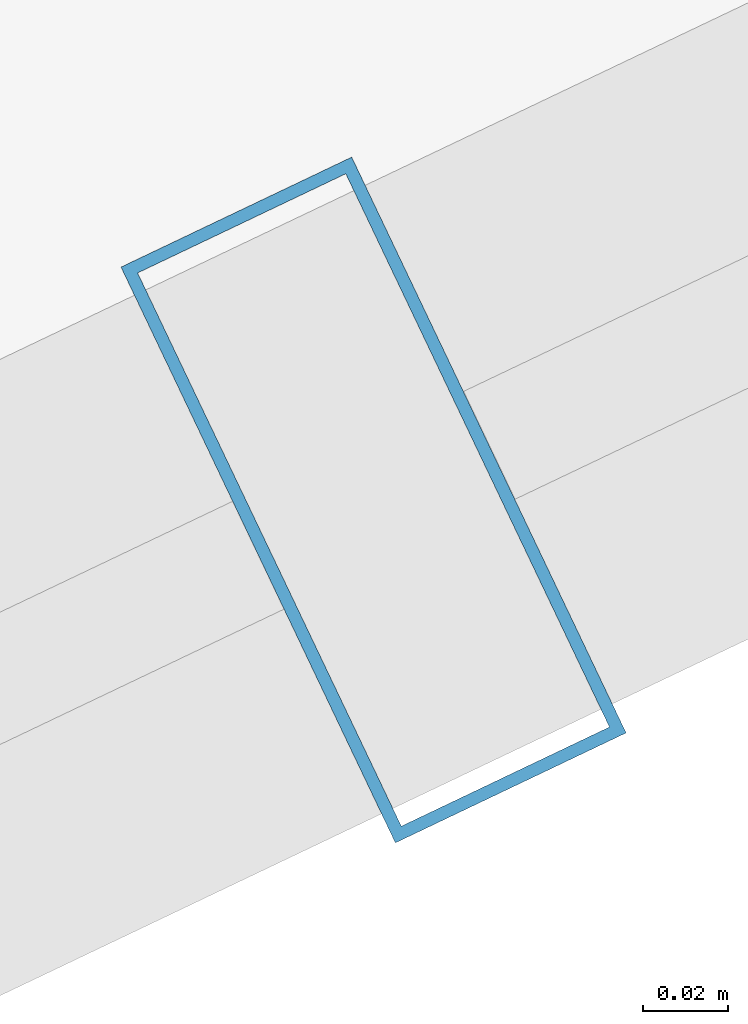
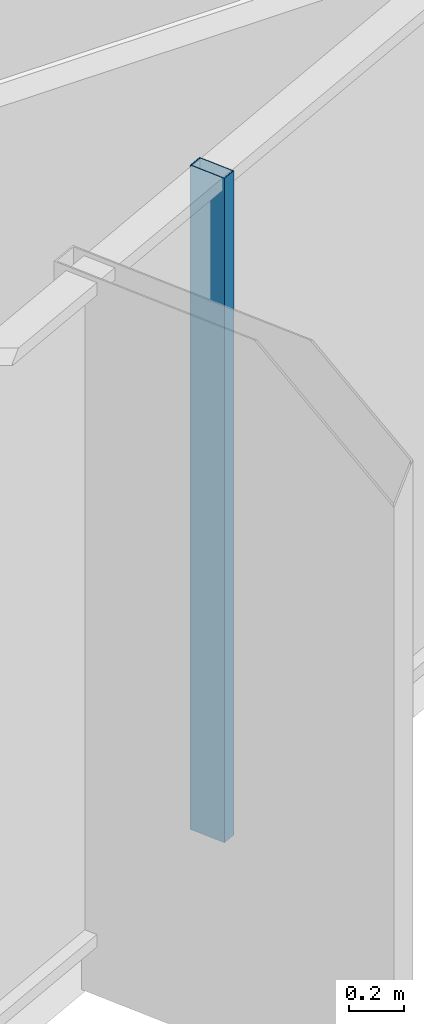
# One storey, part 8 of 29: 1 member, 1 element without a shape of its own.
"""IFC4 building model written with IfcOpenShell, lengths in metres."""

from ifc_helpers import new_model, si_unit, direction, frame, origin, origin_2d, place, context, subcontext, project, spatial, hollow_rectangle, extrude, source, transform, mapped, material, layer, layer_set, material_profile, profile_set, type_object, element, aggregate, save


model = new_model("IFC4")

# Units and contexts
model_context = context("Model", 3, precision=1e-05, world=origin(), true_north=direction((0.0, 1.0)))
body_context = subcontext(model_context, "Body", "Model", "MODEL_VIEW")
ifc_project = project(units=[si_unit("LENGTHUNIT", "METRE"), si_unit("AREAUNIT", "SQUARE_METRE"), si_unit("VOLUMEUNIT", "CUBIC_METRE"), si_unit("PLANEANGLEUNIT", "RADIAN"), si_unit("MASSUNIT", "GRAM", prefix="KILO")], contexts=[model_context])

# Site, building, storey
site_placement = place(None, origin())
site = spatial("IfcSite", under=ifc_project, at=site_placement, CompositionType="ELEMENT")
building_placement = place(site_placement, origin())
building = spatial("IfcBuilding", under=site, at=building_placement, Name="Veraguas Prism Commons", CompositionType="ELEMENT")
storey_placement = place(building_placement, frame((0.0, 0.0, 222.14990234375)))
storey = spatial("IfcBuildingStorey", under=building, at=storey_placement, Name="L63", CompositionType="ELEMENT", Elevation=222.14990234375)

# Curtain wall, member
ifc_material = material(Name="Anodised aluminium EN AW-6063 T6", Category="aluminium")
ifc_layer = layer(ifc_material, 0.14990234375, Name="Unitised Flush Curtain Wall Zone 3", Category="aluminium")
ifc_layer_set = layer_set([ifc_layer], Name="Anodised aluminium EN AW-6063 T6")
curtain_wall_type = type_object("IfcCurtainWallType", Name="Unitised Flush Curtain Wall Zone 3", PredefinedType="NOTDEFINED", material=ifc_layer_set)
curtain_wall_placement = place(storey_placement, origin())
curtain_wall = element("IfcCurtainWall", 1, at=curtain_wall_placement, inside=storey, type_object=curtain_wall_type, Name="Tower Facade Curtain Wall L63-F5", PredefinedType="NOTDEFINED")
ifc_material_profile = material_profile(ifc_material, hollow_rectangle(XDim=0.06005859375, YDim=0.14990234375, WallThickness=0.0029296875, at=origin_2d()), Name="AL60X150X3")
ifc_profile_set = profile_set([ifc_material_profile], Name="Anodised aluminium EN AW-6063 T6")
member_type = type_object("IfcMemberType", Name="Curtain Wall Mullion Upper AL 60x150x3", PredefinedType="MULLION", material=ifc_profile_set)
shared_shape = source(origin(), body_context, "Body", "SweptSolid", [
    extrude(hollow_rectangle(XDim=0.06005859375, YDim=0.14990234375, WallThickness=0.0029296875, at=origin_2d()), origin(), (0.0, 0.0, 1.0), 2.93017578125),
])
member_placement = place(storey_placement, frame((35.207763671875, 9.72265625, 0.0), z_axis=(0.0, 0.0, 1.0), x_axis=(0.902733253567, 0.430200735593, 0.0)))
member = element("IfcMember", 2, at=member_placement, type_object=member_type, Name="CW-Z3 Mullion 4", PredefinedType="MULLION", context=body_context, shape_type="MappedRepresentation", body=[
    mapped(shared_shape, transform((0.0, 0.0, 0.0), scale=1.0)),
])
aggregate(curtain_wall, [member])

save(model, "model.ifc")
